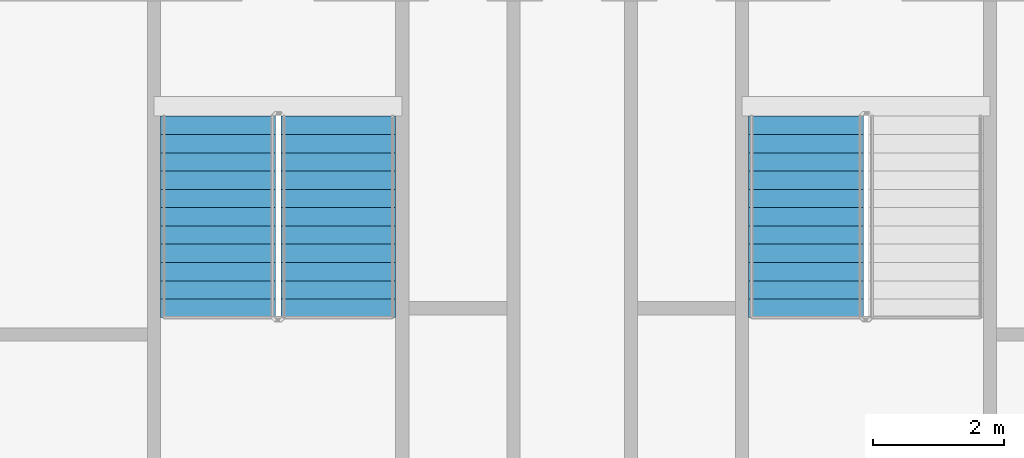
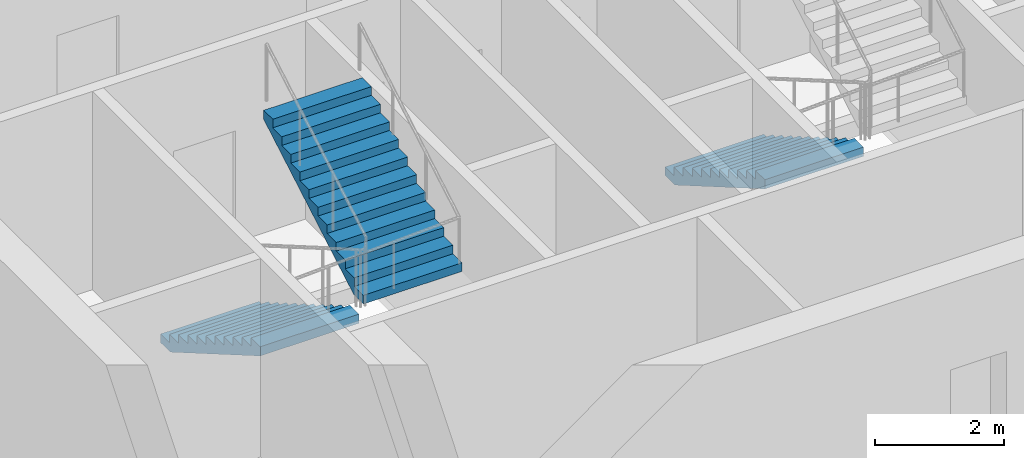
# One storey, part 7 of 14: 3 stair flights, 2 elements without a shape of their own.
"""IFC4 building model written with IfcOpenShell, lengths in metres."""

from ifc_helpers import new_model, si_unit, direction, frame, origin, place, context, subcontext, project, spatial, faceted_brep, material, type_object, element, aggregate, save


model = new_model("IFC4")

# Units and contexts
model_context = context("Model", 3, precision=1e-05, world=origin(), true_north=direction((0.0, 1.0)))
body_context = subcontext(model_context, "Body", "Model", "MODEL_VIEW")
ifc_project = project(units=[si_unit("LENGTHUNIT", "METRE"), si_unit("AREAUNIT", "SQUARE_METRE"), si_unit("VOLUMEUNIT", "CUBIC_METRE"), si_unit("PLANEANGLEUNIT", "RADIAN"), si_unit("MASSUNIT", "GRAM", prefix="KILO")], contexts=[model_context])

# Site, building, storey
site_placement = place(None, origin())
site = spatial("IfcSite", under=ifc_project, at=site_placement, CompositionType="ELEMENT")
building_placement = place(site_placement, origin())
building = spatial("IfcBuilding", under=site, at=building_placement, Name="Tarsis Ring Headquarters", CompositionType="ELEMENT")
storey_placement = place(building_placement, frame((0.0, 0.0, 259.10009765625)))
storey = spatial("IfcBuildingStorey", under=building, at=storey_placement, Name="L60", CompositionType="ELEMENT", Elevation=259.10009765625)

# Stair, stair flights
ifc_material_1 = material(Name="Core stair 1760")
stair_type = type_object("IfcStairType", Name="Core stair 1760", PredefinedType="HALF_TURN_STAIR", material=ifc_material_1)
stair_1_placement = place(storey_placement, origin())
stair_1 = element("IfcStair", 1, at=stair_1_placement, inside=storey, type_object=stair_type, Name="L60 Exit stair C", PredefinedType="HALF_TURN_STAIR")
ifc_material_2 = material(Name="Concrete C40/50", Category="concrete")
stair_flight_type = type_object("IfcStairFlightType", Name="Core stair flight 1760", PredefinedType="STRAIGHT", material=ifc_material_2)
stair_flight_1_placement = place(storey_placement, frame((-5.419921875, -3.659912109375, 0.0), z_axis=(0.0, 0.0, 1.0), x_axis=(0.0, -1.0, 0.0)))
stair_flight_1 = element("IfcStairFlight", 2, at=stair_flight_1_placement, type_object=stair_flight_type, Name="Stair ST3 flight 1", NumberOfRisers=12, NumberOfTreads=11, PredefinedType="STRAIGHT", RiserHeight=0.1625, TreadLength=0.28, context=body_context, shape_type="Brep", body=[
    faceted_brep([(0.0, 0.8798828125, 0.0), (0.0, 0.8798828125, 0.16259765625), (0.280029296875, 0.8798828125, 0.16259765625), (0.280029296875, 0.8798828125, 0.324951171875), (0.56005859375, 0.8798828125, 0.324951171875), (0.56005859375, 0.8798828125, 0.487548828125), (0.840087890625, 0.8798828125, 0.487548828125), (0.840087890625, 0.8798828125, 0.64990234375), (1.1201171875, 0.8798828125, 0.64990234375), (1.1201171875, 0.8798828125, 0.8125), (1.39990234375, 0.8798828125, 0.8125), (1.39990234375, 0.8798828125, 0.97509765625), (1.679931640625, 0.8798828125, 0.97509765625), (1.679931640625, 0.8798828125, 1.137451171875), (1.9599609375, 0.8798828125, 1.137451171875), (1.9599609375, 0.8798828125, 1.300048828125), (2.239990234375, 0.8798828125, 1.300048828125), (2.239990234375, 0.8798828125, 1.46240234375), (2.52001953125, 0.8798828125, 1.46240234375), (2.52001953125, 0.8798828125, 1.625), (2.800048828125, 0.8798828125, 1.625), (2.800048828125, 0.8798828125, 1.78759765625), (3.080078125, 0.8798828125, 1.78759765625), (3.080078125, 0.8798828125, 1.6142578125), (0.298583984375, 0.8798828125, 0.0), (0.298583984375, -0.8798828125, 0.0), (3.080078125, -0.8798828125, 1.6142578125), (3.080078125, -0.8798828125, 1.78759765625), (2.800048828125, -0.8798828125, 1.78759765625), (2.800048828125, -0.8798828125, 1.625), (2.52001953125, -0.8798828125, 1.625), (2.52001953125, -0.8798828125, 1.46240234375), (2.239990234375, -0.8798828125, 1.46240234375), (2.239990234375, -0.8798828125, 1.300048828125), (1.9599609375, -0.8798828125, 1.300048828125), (1.9599609375, -0.8798828125, 1.137451171875), (1.679931640625, -0.8798828125, 1.137451171875), (1.679931640625, -0.8798828125, 0.97509765625), (1.39990234375, -0.8798828125, 0.97509765625), (1.39990234375, -0.8798828125, 0.8125), (1.1201171875, -0.8798828125, 0.8125), (1.1201171875, -0.8798828125, 0.64990234375), (0.840087890625, -0.8798828125, 0.64990234375), (0.840087890625, -0.8798828125, 0.487548828125), (0.56005859375, -0.8798828125, 0.487548828125), (0.56005859375, -0.8798828125, 0.324951171875), (0.280029296875, -0.8798828125, 0.324951171875), (0.280029296875, -0.8798828125, 0.16259765625), (0.0, -0.8798828125, 0.16259765625), (0.0, -0.8798828125, 0.0), (0.0, -0.43994140625, 0.16259765625), (0.0, -0.43994140625, 0.0), (0.0, 0.0, 0.16259765625), (0.0, 0.0, 0.0), (0.0, 0.43994140625, 0.16259765625), (0.0, 0.43994140625, 0.0), (0.280029296875, -0.43994140625, 0.16259765625), (0.280029296875, 0.0, 0.16259765625), (0.280029296875, 0.43994140625, 0.16259765625), (0.280029296875, -0.43994140625, 0.324951171875), (0.280029296875, 0.0, 0.324951171875), (0.280029296875, 0.43994140625, 0.324951171875), (0.56005859375, -0.43994140625, 0.324951171875), (0.56005859375, 0.0, 0.324951171875), (0.56005859375, 0.43994140625, 0.324951171875), (0.56005859375, -0.43994140625, 0.487548828125), (0.56005859375, 0.0, 0.487548828125), (0.56005859375, 0.43994140625, 0.487548828125), (0.840087890625, -0.43994140625, 0.487548828125), (0.840087890625, 0.0, 0.487548828125), (0.840087890625, 0.43994140625, 0.487548828125), (0.840087890625, -0.43994140625, 0.64990234375), (0.840087890625, 0.0, 0.64990234375), (0.840087890625, 0.43994140625, 0.64990234375), (1.1201171875, -0.43994140625, 0.64990234375), (1.1201171875, 0.0, 0.64990234375), (1.1201171875, 0.43994140625, 0.64990234375), (1.1201171875, -0.43994140625, 0.8125), (1.1201171875, 0.0, 0.8125), (1.1201171875, 0.43994140625, 0.8125), (1.39990234375, -0.43994140625, 0.8125), (1.39990234375, 0.0, 0.8125), (1.39990234375, 0.43994140625, 0.8125), (1.39990234375, -0.43994140625, 0.97509765625), (1.39990234375, 0.0, 0.97509765625), (1.39990234375, 0.43994140625, 0.97509765625), (1.679931640625, -0.43994140625, 0.97509765625), (1.679931640625, 0.0, 0.97509765625), (1.679931640625, 0.43994140625, 0.97509765625), (1.679931640625, -0.43994140625, 1.137451171875), (1.679931640625, 0.0, 1.137451171875), (1.679931640625, 0.43994140625, 1.137451171875), (1.9599609375, -0.43994140625, 1.137451171875), (1.9599609375, 0.0, 1.137451171875), (1.9599609375, 0.43994140625, 1.137451171875), (1.9599609375, -0.43994140625, 1.300048828125), (1.9599609375, 0.0, 1.300048828125), (1.9599609375, 0.43994140625, 1.300048828125), (2.239990234375, -0.43994140625, 1.300048828125), (2.239990234375, 0.0, 1.300048828125), (2.239990234375, 0.43994140625, 1.300048828125), (2.239990234375, -0.43994140625, 1.46240234375), (2.239990234375, 0.0, 1.46240234375), (2.239990234375, 0.43994140625, 1.46240234375), (2.52001953125, -0.43994140625, 1.46240234375), (2.52001953125, 0.0, 1.46240234375), (2.52001953125, 0.43994140625, 1.46240234375), (2.52001953125, -0.43994140625, 1.625), (2.52001953125, 0.0, 1.625), (2.52001953125, 0.43994140625, 1.625), (2.800048828125, -0.43994140625, 1.625), (2.800048828125, 0.0, 1.625), (2.800048828125, 0.43994140625, 1.625), (2.800048828125, -0.43994140625, 1.78759765625), (2.800048828125, 0.0, 1.78759765625), (2.800048828125, 0.43994140625, 1.78759765625), (3.080078125, -0.43994140625, 1.78759765625), (3.080078125, 0.0, 1.78759765625), (3.080078125, 0.43994140625, 1.78759765625), (3.080078125, -0.43994140625, 1.6142578125), (3.080078125, 0.0, 1.6142578125), (3.080078125, 0.43994140625, 1.6142578125), (0.298583984375, -0.43994140625, 0.0), (0.298583984375, 0.0, 0.0), (0.298583984375, 0.43994140625, 0.0)], [[[0, 1, 2, 3, 4, 5, 6, 7, 8, 9, 10, 11, 12, 13, 14, 15, 16, 17, 18, 19, 20, 21, 22, 23, 24]], [[25, 26, 27, 28, 29, 30, 31, 32, 33, 34, 35, 36, 37, 38, 39, 40, 41, 42, 43, 44, 45, 46, 47, 48, 49]], [[49, 48, 50, 51]], [[51, 50, 52, 53]], [[53, 52, 54, 55]], [[55, 54, 1, 0]], [[48, 47, 56, 50]], [[50, 56, 57, 52]], [[52, 57, 58, 54]], [[54, 58, 2, 1]], [[47, 46, 59, 56]], [[56, 59, 60, 57]], [[57, 60, 61, 58]], [[58, 61, 3, 2]], [[46, 45, 62, 59]], [[59, 62, 63, 60]], [[60, 63, 64, 61]], [[61, 64, 4, 3]], [[45, 44, 65, 62]], [[62, 65, 66, 63]], [[63, 66, 67, 64]], [[64, 67, 5, 4]], [[44, 43, 68, 65]], [[65, 68, 69, 66]], [[66, 69, 70, 67]], [[67, 70, 6, 5]], [[43, 42, 71, 68]], [[68, 71, 72, 69]], [[69, 72, 73, 70]], [[70, 73, 7, 6]], [[42, 41, 74, 71]], [[71, 74, 75, 72]], [[72, 75, 76, 73]], [[73, 76, 8, 7]], [[41, 40, 77, 74]], [[74, 77, 78, 75]], [[75, 78, 79, 76]], [[76, 79, 9, 8]], [[40, 39, 80, 77]], [[77, 80, 81, 78]], [[78, 81, 82, 79]], [[79, 82, 10, 9]], [[39, 38, 83, 80]], [[80, 83, 84, 81]], [[81, 84, 85, 82]], [[82, 85, 11, 10]], [[38, 37, 86, 83]], [[83, 86, 87, 84]], [[84, 87, 88, 85]], [[85, 88, 12, 11]], [[37, 36, 89, 86]], [[86, 89, 90, 87]], [[87, 90, 91, 88]], [[88, 91, 13, 12]], [[36, 35, 92, 89]], [[89, 92, 93, 90]], [[90, 93, 94, 91]], [[91, 94, 14, 13]], [[35, 34, 95, 92]], [[92, 95, 96, 93]], [[93, 96, 97, 94]], [[94, 97, 15, 14]], [[34, 33, 98, 95]], [[95, 98, 99, 96]], [[96, 99, 100, 97]], [[97, 100, 16, 15]], [[33, 32, 101, 98]], [[98, 101, 102, 99]], [[99, 102, 103, 100]], [[100, 103, 17, 16]], [[32, 31, 104, 101]], [[101, 104, 105, 102]], [[102, 105, 106, 103]], [[103, 106, 18, 17]], [[31, 30, 107, 104]], [[104, 107, 108, 105]], [[105, 108, 109, 106]], [[106, 109, 19, 18]], [[30, 29, 110, 107]], [[107, 110, 111, 108]], [[108, 111, 112, 109]], [[109, 112, 20, 19]], [[29, 28, 113, 110]], [[110, 113, 114, 111]], [[111, 114, 115, 112]], [[112, 115, 21, 20]], [[28, 27, 116, 113]], [[113, 116, 117, 114]], [[114, 117, 118, 115]], [[115, 118, 22, 21]], [[27, 26, 119, 116]], [[116, 119, 120, 117]], [[117, 120, 121, 118]], [[118, 121, 23, 22]], [[26, 25, 122, 119]], [[119, 122, 123, 120]], [[120, 123, 124, 121]], [[121, 124, 24, 23]], [[25, 49, 51, 122]], [[122, 51, 53, 123]], [[123, 53, 55, 124]], [[124, 55, 0, 24]]]),
])
stair_flight_2_placement = place(storey_placement, frame((-3.580078125, -6.739990234375, 1.949951171875), z_axis=(0.0, 0.0, 1.0), x_axis=(0.0, 1.0, 0.0)))
stair_flight_2 = element("IfcStairFlight", 3, at=stair_flight_2_placement, type_object=stair_flight_type, Name="Stair ST3 flight 2", NumberOfRisers=12, NumberOfTreads=11, PredefinedType="STRAIGHT", RiserHeight=0.1625, TreadLength=0.28, context=body_context, shape_type="Brep", body=[
    faceted_brep([(0.0, 0.8798828125, 0.0), (0.0, 0.8798828125, 0.16259765625), (0.280029296875, 0.8798828125, 0.16259765625), (0.280029296875, 0.8798828125, 0.324951171875), (0.56005859375, 0.8798828125, 0.324951171875), (0.56005859375, 0.8798828125, 0.487548828125), (0.840087890625, 0.8798828125, 0.487548828125), (0.840087890625, 0.8798828125, 0.64990234375), (1.1201171875, 0.8798828125, 0.64990234375), (1.1201171875, 0.8798828125, 0.8125), (1.39990234375, 0.8798828125, 0.8125), (1.39990234375, 0.8798828125, 0.97509765625), (1.679931640625, 0.8798828125, 0.97509765625), (1.679931640625, 0.8798828125, 1.137451171875), (1.9599609375, 0.8798828125, 1.137451171875), (1.9599609375, 0.8798828125, 1.300048828125), (2.239990234375, 0.8798828125, 1.300048828125), (2.239990234375, 0.8798828125, 1.46240234375), (2.52001953125, 0.8798828125, 1.46240234375), (2.52001953125, 0.8798828125, 1.625), (2.800048828125, 0.8798828125, 1.625), (2.800048828125, 0.8798828125, 1.78759765625), (3.080078125, 0.8798828125, 1.78759765625), (3.080078125, 0.8798828125, 1.6142578125), (0.298583984375, 0.8798828125, 0.0), (0.298583984375, -0.8798828125, 0.0), (3.080078125, -0.8798828125, 1.6142578125), (3.080078125, -0.8798828125, 1.78759765625), (2.800048828125, -0.8798828125, 1.78759765625), (2.800048828125, -0.8798828125, 1.625), (2.52001953125, -0.8798828125, 1.625), (2.52001953125, -0.8798828125, 1.46240234375), (2.239990234375, -0.8798828125, 1.46240234375), (2.239990234375, -0.8798828125, 1.300048828125), (1.9599609375, -0.8798828125, 1.300048828125), (1.9599609375, -0.8798828125, 1.137451171875), (1.679931640625, -0.8798828125, 1.137451171875), (1.679931640625, -0.8798828125, 0.97509765625), (1.39990234375, -0.8798828125, 0.97509765625), (1.39990234375, -0.8798828125, 0.8125), (1.1201171875, -0.8798828125, 0.8125), (1.1201171875, -0.8798828125, 0.64990234375), (0.840087890625, -0.8798828125, 0.64990234375), (0.840087890625, -0.8798828125, 0.487548828125), (0.56005859375, -0.8798828125, 0.487548828125), (0.56005859375, -0.8798828125, 0.324951171875), (0.280029296875, -0.8798828125, 0.324951171875), (0.280029296875, -0.8798828125, 0.16259765625), (0.0, -0.8798828125, 0.16259765625), (0.0, -0.8798828125, 0.0), (0.0, -0.43994140625, 0.16259765625), (0.0, -0.43994140625, 0.0), (0.0, 0.0, 0.16259765625), (0.0, 0.0, 0.0), (0.0, 0.43994140625, 0.16259765625), (0.0, 0.43994140625, 0.0), (0.280029296875, -0.43994140625, 0.16259765625), (0.280029296875, 0.0, 0.16259765625), (0.280029296875, 0.43994140625, 0.16259765625), (0.280029296875, -0.43994140625, 0.324951171875), (0.280029296875, 0.0, 0.324951171875), (0.280029296875, 0.43994140625, 0.324951171875), (0.56005859375, -0.43994140625, 0.324951171875), (0.56005859375, 0.0, 0.324951171875), (0.56005859375, 0.43994140625, 0.324951171875), (0.56005859375, -0.43994140625, 0.487548828125), (0.56005859375, 0.0, 0.487548828125), (0.56005859375, 0.43994140625, 0.487548828125), (0.840087890625, -0.43994140625, 0.487548828125), (0.840087890625, 0.0, 0.487548828125), (0.840087890625, 0.43994140625, 0.487548828125), (0.840087890625, -0.43994140625, 0.64990234375), (0.840087890625, 0.0, 0.64990234375), (0.840087890625, 0.43994140625, 0.64990234375), (1.1201171875, -0.43994140625, 0.64990234375), (1.1201171875, 0.0, 0.64990234375), (1.1201171875, 0.43994140625, 0.64990234375), (1.1201171875, -0.43994140625, 0.8125), (1.1201171875, 0.0, 0.8125), (1.1201171875, 0.43994140625, 0.8125), (1.39990234375, -0.43994140625, 0.8125), (1.39990234375, 0.0, 0.8125), (1.39990234375, 0.43994140625, 0.8125), (1.39990234375, -0.43994140625, 0.97509765625), (1.39990234375, 0.0, 0.97509765625), (1.39990234375, 0.43994140625, 0.97509765625), (1.679931640625, -0.43994140625, 0.97509765625), (1.679931640625, 0.0, 0.97509765625), (1.679931640625, 0.43994140625, 0.97509765625), (1.679931640625, -0.43994140625, 1.137451171875), (1.679931640625, 0.0, 1.137451171875), (1.679931640625, 0.43994140625, 1.137451171875), (1.9599609375, -0.43994140625, 1.137451171875), (1.9599609375, 0.0, 1.137451171875), (1.9599609375, 0.43994140625, 1.137451171875), (1.9599609375, -0.43994140625, 1.300048828125), (1.9599609375, 0.0, 1.300048828125), (1.9599609375, 0.43994140625, 1.300048828125), (2.239990234375, -0.43994140625, 1.300048828125), (2.239990234375, 0.0, 1.300048828125), (2.239990234375, 0.43994140625, 1.300048828125), (2.239990234375, -0.43994140625, 1.46240234375), (2.239990234375, 0.0, 1.46240234375), (2.239990234375, 0.43994140625, 1.46240234375), (2.52001953125, -0.43994140625, 1.46240234375), (2.52001953125, 0.0, 1.46240234375), (2.52001953125, 0.43994140625, 1.46240234375), (2.52001953125, -0.43994140625, 1.625), (2.52001953125, 0.0, 1.625), (2.52001953125, 0.43994140625, 1.625), (2.800048828125, -0.43994140625, 1.625), (2.800048828125, 0.0, 1.625), (2.800048828125, 0.43994140625, 1.625), (2.800048828125, -0.43994140625, 1.78759765625), (2.800048828125, 0.0, 1.78759765625), (2.800048828125, 0.43994140625, 1.78759765625), (3.080078125, -0.43994140625, 1.78759765625), (3.080078125, 0.0, 1.78759765625), (3.080078125, 0.43994140625, 1.78759765625), (3.080078125, -0.43994140625, 1.6142578125), (3.080078125, 0.0, 1.6142578125), (3.080078125, 0.43994140625, 1.6142578125), (0.298583984375, -0.43994140625, 0.0), (0.298583984375, 0.0, 0.0), (0.298583984375, 0.43994140625, 0.0)], [[[0, 1, 2, 3, 4, 5, 6, 7, 8, 9, 10, 11, 12, 13, 14, 15, 16, 17, 18, 19, 20, 21, 22, 23, 24]], [[25, 26, 27, 28, 29, 30, 31, 32, 33, 34, 35, 36, 37, 38, 39, 40, 41, 42, 43, 44, 45, 46, 47, 48, 49]], [[49, 48, 50, 51]], [[51, 50, 52, 53]], [[53, 52, 54, 55]], [[55, 54, 1, 0]], [[48, 47, 56, 50]], [[50, 56, 57, 52]], [[52, 57, 58, 54]], [[54, 58, 2, 1]], [[47, 46, 59, 56]], [[56, 59, 60, 57]], [[57, 60, 61, 58]], [[58, 61, 3, 2]], [[46, 45, 62, 59]], [[59, 62, 63, 60]], [[60, 63, 64, 61]], [[61, 64, 4, 3]], [[45, 44, 65, 62]], [[62, 65, 66, 63]], [[63, 66, 67, 64]], [[64, 67, 5, 4]], [[44, 43, 68, 65]], [[65, 68, 69, 66]], [[66, 69, 70, 67]], [[67, 70, 6, 5]], [[43, 42, 71, 68]], [[68, 71, 72, 69]], [[69, 72, 73, 70]], [[70, 73, 7, 6]], [[42, 41, 74, 71]], [[71, 74, 75, 72]], [[72, 75, 76, 73]], [[73, 76, 8, 7]], [[41, 40, 77, 74]], [[74, 77, 78, 75]], [[75, 78, 79, 76]], [[76, 79, 9, 8]], [[40, 39, 80, 77]], [[77, 80, 81, 78]], [[78, 81, 82, 79]], [[79, 82, 10, 9]], [[39, 38, 83, 80]], [[80, 83, 84, 81]], [[81, 84, 85, 82]], [[82, 85, 11, 10]], [[38, 37, 86, 83]], [[83, 86, 87, 84]], [[84, 87, 88, 85]], [[85, 88, 12, 11]], [[37, 36, 89, 86]], [[86, 89, 90, 87]], [[87, 90, 91, 88]], [[88, 91, 13, 12]], [[36, 35, 92, 89]], [[89, 92, 93, 90]], [[90, 93, 94, 91]], [[91, 94, 14, 13]], [[35, 34, 95, 92]], [[92, 95, 96, 93]], [[93, 96, 97, 94]], [[94, 97, 15, 14]], [[34, 33, 98, 95]], [[95, 98, 99, 96]], [[96, 99, 100, 97]], [[97, 100, 16, 15]], [[33, 32, 101, 98]], [[98, 101, 102, 99]], [[99, 102, 103, 100]], [[100, 103, 17, 16]], [[32, 31, 104, 101]], [[101, 104, 105, 102]], [[102, 105, 106, 103]], [[103, 106, 18, 17]], [[31, 30, 107, 104]], [[104, 107, 108, 105]], [[105, 108, 109, 106]], [[106, 109, 19, 18]], [[30, 29, 110, 107]], [[107, 110, 111, 108]], [[108, 111, 112, 109]], [[109, 112, 20, 19]], [[29, 28, 113, 110]], [[110, 113, 114, 111]], [[111, 114, 115, 112]], [[112, 115, 21, 20]], [[28, 27, 116, 113]], [[113, 116, 117, 114]], [[114, 117, 118, 115]], [[115, 118, 22, 21]], [[27, 26, 119, 116]], [[116, 119, 120, 117]], [[117, 120, 121, 118]], [[118, 121, 23, 22]], [[26, 25, 122, 119]], [[119, 122, 123, 120]], [[120, 123, 124, 121]], [[121, 124, 24, 23]], [[25, 49, 51, 122]], [[122, 51, 53, 123]], [[123, 53, 55, 124]], [[124, 55, 0, 24]]]),
])
aggregate(stair_1, [stair_flight_1, stair_flight_2])

# Stair, stair flight
stair_2_placement = place(storey_placement, origin())
stair_2 = element("IfcStair", 4, at=stair_2_placement, inside=storey, type_object=stair_type, Name="L60 Exit stair D", PredefinedType="HALF_TURN_STAIR")
stair_flight_3_placement = place(storey_placement, frame((3.580078125, -3.659912109375, 0.0), z_axis=(0.0, 0.0, 1.0), x_axis=(0.0, -1.0, 0.0)))
stair_flight_3 = element("IfcStairFlight", 5, at=stair_flight_3_placement, type_object=stair_flight_type, Name="Stair ST4 flight 1", NumberOfRisers=12, NumberOfTreads=11, PredefinedType="STRAIGHT", RiserHeight=0.1625, TreadLength=0.28, context=body_context, shape_type="Brep", body=[
    faceted_brep([(0.0, 0.8798828125, 0.0), (0.0, 0.8798828125, 0.16259765625), (0.280029296875, 0.8798828125, 0.16259765625), (0.280029296875, 0.8798828125, 0.324951171875), (0.56005859375, 0.8798828125, 0.324951171875), (0.56005859375, 0.8798828125, 0.487548828125), (0.840087890625, 0.8798828125, 0.487548828125), (0.840087890625, 0.8798828125, 0.64990234375), (1.1201171875, 0.8798828125, 0.64990234375), (1.1201171875, 0.8798828125, 0.8125), (1.39990234375, 0.8798828125, 0.8125), (1.39990234375, 0.8798828125, 0.97509765625), (1.679931640625, 0.8798828125, 0.97509765625), (1.679931640625, 0.8798828125, 1.137451171875), (1.9599609375, 0.8798828125, 1.137451171875), (1.9599609375, 0.8798828125, 1.300048828125), (2.239990234375, 0.8798828125, 1.300048828125), (2.239990234375, 0.8798828125, 1.46240234375), (2.52001953125, 0.8798828125, 1.46240234375), (2.52001953125, 0.8798828125, 1.625), (2.800048828125, 0.8798828125, 1.625), (2.800048828125, 0.8798828125, 1.78759765625), (3.080078125, 0.8798828125, 1.78759765625), (3.080078125, 0.8798828125, 1.6142578125), (0.298583984375, 0.8798828125, 0.0), (0.298583984375, -0.8798828125, 0.0), (3.080078125, -0.8798828125, 1.6142578125), (3.080078125, -0.8798828125, 1.78759765625), (2.800048828125, -0.8798828125, 1.78759765625), (2.800048828125, -0.8798828125, 1.625), (2.52001953125, -0.8798828125, 1.625), (2.52001953125, -0.8798828125, 1.46240234375), (2.239990234375, -0.8798828125, 1.46240234375), (2.239990234375, -0.8798828125, 1.300048828125), (1.9599609375, -0.8798828125, 1.300048828125), (1.9599609375, -0.8798828125, 1.137451171875), (1.679931640625, -0.8798828125, 1.137451171875), (1.679931640625, -0.8798828125, 0.97509765625), (1.39990234375, -0.8798828125, 0.97509765625), (1.39990234375, -0.8798828125, 0.8125), (1.1201171875, -0.8798828125, 0.8125), (1.1201171875, -0.8798828125, 0.64990234375), (0.840087890625, -0.8798828125, 0.64990234375), (0.840087890625, -0.8798828125, 0.487548828125), (0.56005859375, -0.8798828125, 0.487548828125), (0.56005859375, -0.8798828125, 0.324951171875), (0.280029296875, -0.8798828125, 0.324951171875), (0.280029296875, -0.8798828125, 0.16259765625), (0.0, -0.8798828125, 0.16259765625), (0.0, -0.8798828125, 0.0), (0.0, -0.43994140625, 0.16259765625), (0.0, -0.43994140625, 0.0), (0.0, 0.0, 0.16259765625), (0.0, 0.0, 0.0), (0.0, 0.43994140625, 0.16259765625), (0.0, 0.43994140625, 0.0), (0.280029296875, -0.43994140625, 0.16259765625), (0.280029296875, 0.0, 0.16259765625), (0.280029296875, 0.43994140625, 0.16259765625), (0.280029296875, -0.43994140625, 0.324951171875), (0.280029296875, 0.0, 0.324951171875), (0.280029296875, 0.43994140625, 0.324951171875), (0.56005859375, -0.43994140625, 0.324951171875), (0.56005859375, 0.0, 0.324951171875), (0.56005859375, 0.43994140625, 0.324951171875), (0.56005859375, -0.43994140625, 0.487548828125), (0.56005859375, 0.0, 0.487548828125), (0.56005859375, 0.43994140625, 0.487548828125), (0.840087890625, -0.43994140625, 0.487548828125), (0.840087890625, 0.0, 0.487548828125), (0.840087890625, 0.43994140625, 0.487548828125), (0.840087890625, -0.43994140625, 0.64990234375), (0.840087890625, 0.0, 0.64990234375), (0.840087890625, 0.43994140625, 0.64990234375), (1.1201171875, -0.43994140625, 0.64990234375), (1.1201171875, 0.0, 0.64990234375), (1.1201171875, 0.43994140625, 0.64990234375), (1.1201171875, -0.43994140625, 0.8125), (1.1201171875, 0.0, 0.8125), (1.1201171875, 0.43994140625, 0.8125), (1.39990234375, -0.43994140625, 0.8125), (1.39990234375, 0.0, 0.8125), (1.39990234375, 0.43994140625, 0.8125), (1.39990234375, -0.43994140625, 0.97509765625), (1.39990234375, 0.0, 0.97509765625), (1.39990234375, 0.43994140625, 0.97509765625), (1.679931640625, -0.43994140625, 0.97509765625), (1.679931640625, 0.0, 0.97509765625), (1.679931640625, 0.43994140625, 0.97509765625), (1.679931640625, -0.43994140625, 1.137451171875), (1.679931640625, 0.0, 1.137451171875), (1.679931640625, 0.43994140625, 1.137451171875), (1.9599609375, -0.43994140625, 1.137451171875), (1.9599609375, 0.0, 1.137451171875), (1.9599609375, 0.43994140625, 1.137451171875), (1.9599609375, -0.43994140625, 1.300048828125), (1.9599609375, 0.0, 1.300048828125), (1.9599609375, 0.43994140625, 1.300048828125), (2.239990234375, -0.43994140625, 1.300048828125), (2.239990234375, 0.0, 1.300048828125), (2.239990234375, 0.43994140625, 1.300048828125), (2.239990234375, -0.43994140625, 1.46240234375), (2.239990234375, 0.0, 1.46240234375), (2.239990234375, 0.43994140625, 1.46240234375), (2.52001953125, -0.43994140625, 1.46240234375), (2.52001953125, 0.0, 1.46240234375), (2.52001953125, 0.43994140625, 1.46240234375), (2.52001953125, -0.43994140625, 1.625), (2.52001953125, 0.0, 1.625), (2.52001953125, 0.43994140625, 1.625), (2.800048828125, -0.43994140625, 1.625), (2.800048828125, 0.0, 1.625), (2.800048828125, 0.43994140625, 1.625), (2.800048828125, -0.43994140625, 1.78759765625), (2.800048828125, 0.0, 1.78759765625), (2.800048828125, 0.43994140625, 1.78759765625), (3.080078125, -0.43994140625, 1.78759765625), (3.080078125, 0.0, 1.78759765625), (3.080078125, 0.43994140625, 1.78759765625), (3.080078125, -0.43994140625, 1.6142578125), (3.080078125, 0.0, 1.6142578125), (3.080078125, 0.43994140625, 1.6142578125), (0.298583984375, -0.43994140625, 0.0), (0.298583984375, 0.0, 0.0), (0.298583984375, 0.43994140625, 0.0)], [[[0, 1, 2, 3, 4, 5, 6, 7, 8, 9, 10, 11, 12, 13, 14, 15, 16, 17, 18, 19, 20, 21, 22, 23, 24]], [[25, 26, 27, 28, 29, 30, 31, 32, 33, 34, 35, 36, 37, 38, 39, 40, 41, 42, 43, 44, 45, 46, 47, 48, 49]], [[49, 48, 50, 51]], [[51, 50, 52, 53]], [[53, 52, 54, 55]], [[55, 54, 1, 0]], [[48, 47, 56, 50]], [[50, 56, 57, 52]], [[52, 57, 58, 54]], [[54, 58, 2, 1]], [[47, 46, 59, 56]], [[56, 59, 60, 57]], [[57, 60, 61, 58]], [[58, 61, 3, 2]], [[46, 45, 62, 59]], [[59, 62, 63, 60]], [[60, 63, 64, 61]], [[61, 64, 4, 3]], [[45, 44, 65, 62]], [[62, 65, 66, 63]], [[63, 66, 67, 64]], [[64, 67, 5, 4]], [[44, 43, 68, 65]], [[65, 68, 69, 66]], [[66, 69, 70, 67]], [[67, 70, 6, 5]], [[43, 42, 71, 68]], [[68, 71, 72, 69]], [[69, 72, 73, 70]], [[70, 73, 7, 6]], [[42, 41, 74, 71]], [[71, 74, 75, 72]], [[72, 75, 76, 73]], [[73, 76, 8, 7]], [[41, 40, 77, 74]], [[74, 77, 78, 75]], [[75, 78, 79, 76]], [[76, 79, 9, 8]], [[40, 39, 80, 77]], [[77, 80, 81, 78]], [[78, 81, 82, 79]], [[79, 82, 10, 9]], [[39, 38, 83, 80]], [[80, 83, 84, 81]], [[81, 84, 85, 82]], [[82, 85, 11, 10]], [[38, 37, 86, 83]], [[83, 86, 87, 84]], [[84, 87, 88, 85]], [[85, 88, 12, 11]], [[37, 36, 89, 86]], [[86, 89, 90, 87]], [[87, 90, 91, 88]], [[88, 91, 13, 12]], [[36, 35, 92, 89]], [[89, 92, 93, 90]], [[90, 93, 94, 91]], [[91, 94, 14, 13]], [[35, 34, 95, 92]], [[92, 95, 96, 93]], [[93, 96, 97, 94]], [[94, 97, 15, 14]], [[34, 33, 98, 95]], [[95, 98, 99, 96]], [[96, 99, 100, 97]], [[97, 100, 16, 15]], [[33, 32, 101, 98]], [[98, 101, 102, 99]], [[99, 102, 103, 100]], [[100, 103, 17, 16]], [[32, 31, 104, 101]], [[101, 104, 105, 102]], [[102, 105, 106, 103]], [[103, 106, 18, 17]], [[31, 30, 107, 104]], [[104, 107, 108, 105]], [[105, 108, 109, 106]], [[106, 109, 19, 18]], [[30, 29, 110, 107]], [[107, 110, 111, 108]], [[108, 111, 112, 109]], [[109, 112, 20, 19]], [[29, 28, 113, 110]], [[110, 113, 114, 111]], [[111, 114, 115, 112]], [[112, 115, 21, 20]], [[28, 27, 116, 113]], [[113, 116, 117, 114]], [[114, 117, 118, 115]], [[115, 118, 22, 21]], [[27, 26, 119, 116]], [[116, 119, 120, 117]], [[117, 120, 121, 118]], [[118, 121, 23, 22]], [[26, 25, 122, 119]], [[119, 122, 123, 120]], [[120, 123, 124, 121]], [[121, 124, 24, 23]], [[25, 49, 51, 122]], [[122, 51, 53, 123]], [[123, 53, 55, 124]], [[124, 55, 0, 24]]]),
])
aggregate(stair_2, [stair_flight_3])

save(model, "model.ifc")
